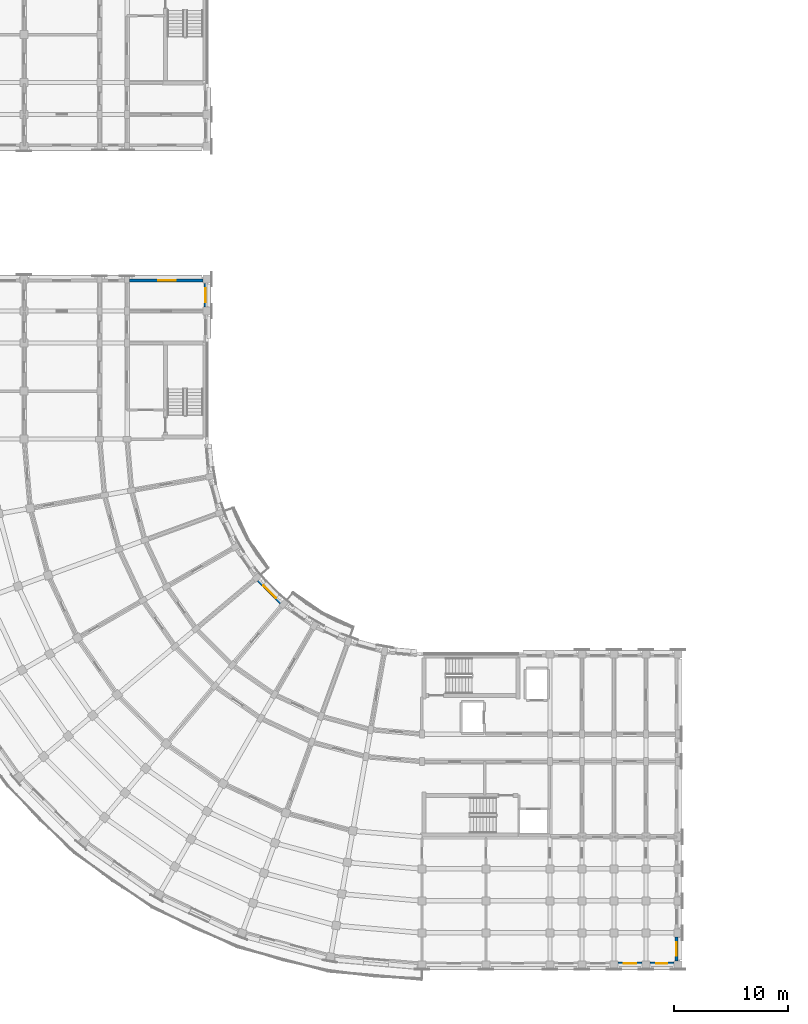
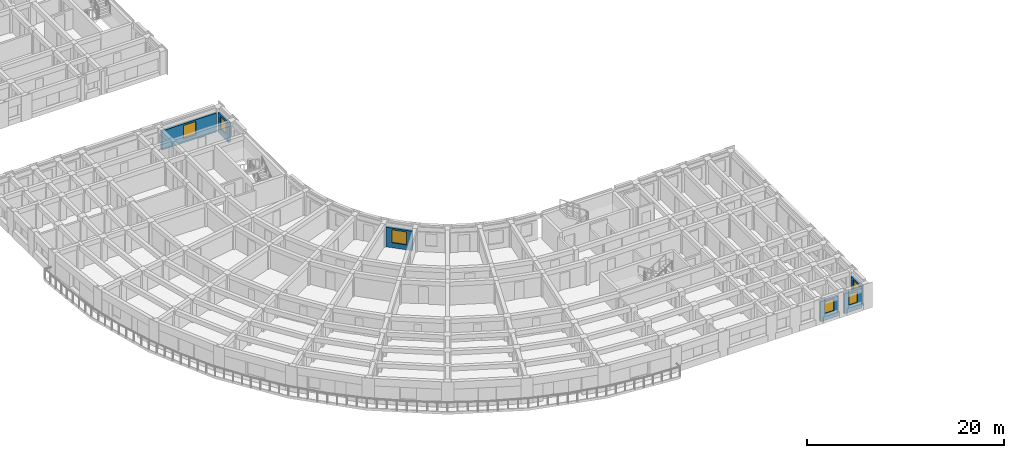
# One storey, part 21 of 57: 6 walls, 6 windows, 6 openings.
"""IFC4 building model written with IfcOpenShell, lengths in metres."""

import ifcopenshell
import ifcopenshell.guid

model = None  # the IFC model being written
_history = None  # IfcOwnerHistory: only IFC2X3 demands one
_inside = {}  # id of a spatial element -> (the spatial element, [elements in it])
_under = {}  # id of a project, library or spatial element -> (it, [spatial elements below it])
_declared = {}  # id of a project -> (the project, [libraries it declares])
_typed = {}  # id of a type object -> (the type object, [elements of that type])
_made_of = {}  # id of a material, layer set ... -> (it, [elements and type objects made of it])


def new_model(schema):
    """Start an empty IFC model of exactly this schema.

    Asked for "IFC4X3", IfcOpenShell would pick the latest addendum, in which some entities
    have other attributes; the version numbers below select the first issue.
    IFC2X3 requires an IfcOwnerHistory on every rooted entity: one is made here for all.
    """
    global model, _history
    if schema == "IFC4X3":
        model = ifcopenshell.file(schema_version=(4, 3, 0, 0))
    else:
        model = ifcopenshell.file(schema=schema)
    _inside.clear()
    _under.clear()
    _declared.clear()
    _typed.clear()
    _made_of.clear()
    _history = None
    if model.schema == "IFC2X3":
        org = make("IfcOrganization", Name="unknown")
        user = make(
            "IfcPersonAndOrganization",
            ThePerson=make("IfcPerson", FamilyName="unknown"),
            TheOrganization=org,
        )
        app = make(
            "IfcApplication",
            ApplicationDeveloper=org,
            Version="unknown",
            ApplicationFullName="unknown",
            ApplicationIdentifier="unknown",
        )
        _history = make(
            "IfcOwnerHistory",
            OwningUser=user,
            OwningApplication=app,
            ChangeAction="ADDED",
            CreationDate=0,
        )
    return model


def make(cls, **values):
    """One entity of the class cls with the attributes given. An attribute that is None is left unset."""
    return model.create_entity(
        cls, **{name: value for name, value in values.items() if value is not None}
    )


def rooted(cls, **values):
    """An entity with a GlobalId (a new one), such as an element, a storey or a relation."""
    return make(cls, GlobalId=ifcopenshell.guid.new(), OwnerHistory=_history, **values)


def si_unit(unit_type, name, prefix=None):
    """IfcSIUnit, for example si_unit("LENGTHUNIT", "METRE", prefix="MILLI")."""
    return make("IfcSIUnit", UnitType=unit_type, Prefix=prefix, Name=name)


def assignment(units):
    """IfcUnitAssignment: the units of a project."""
    return None if units is None else make("IfcUnitAssignment", Units=units)


def point(xyz):
    """IfcCartesianPoint."""
    return None if xyz is None else make("IfcCartesianPoint", Coordinates=xyz)


def direction(xyz):
    """IfcDirection."""
    return None if xyz is None else make("IfcDirection", DirectionRatios=xyz)


def frame(location, z_axis=None, x_axis=None):
    """IfcAxis2Placement3D, a coordinate frame: its origin and axes. An axis left out is left unset."""
    return make(
        "IfcAxis2Placement3D",
        Location=point(location),
        Axis=direction(z_axis),
        RefDirection=direction(x_axis),
    )


def frame_2d(location, x_axis=None):
    """IfcAxis2Placement2D, a coordinate frame in the plane: its origin and x axis."""
    return make(
        "IfcAxis2Placement2D", Location=point(location), RefDirection=direction(x_axis)
    )


def origin():
    """The frame at (0, 0, 0) with its axes left unset."""
    return frame((0.0, 0.0, 0.0))


def place(relative_to, where):
    """IfcLocalPlacement: puts the frame where relative to a parent placement (None: the world)."""
    return make(
        "IfcLocalPlacement", PlacementRelTo=relative_to, RelativePlacement=where
    )


def context(
    kind, dimensions, precision=None, world=None, true_north=None, identifier=None
):
    """IfcGeometricRepresentationContext, for example the 3D "Model" context."""
    return make(
        "IfcGeometricRepresentationContext",
        ContextIdentifier=identifier,
        ContextType=kind,
        CoordinateSpaceDimension=dimensions,
        Precision=precision,
        WorldCoordinateSystem=world,
        TrueNorth=true_north,
    )


def subcontext(parent, identifier, kind, view, scale=None):
    """IfcGeometricRepresentationSubContext, for example "Body" below "Model"."""
    return make(
        "IfcGeometricRepresentationSubContext",
        ContextIdentifier=identifier,
        ContextType=kind,
        ParentContext=parent,
        TargetScale=scale,
        TargetView=view,
    )


def project(units=None, contexts=None):
    """IfcProject with its units and contexts."""
    return rooted(
        "IfcProject",
        Name="project",
        RepresentationContexts=contexts,
        UnitsInContext=assignment(units),
    )


def spatial(cls, under=None, at=None, **own):
    """A site, building, storey or space (cls), placed at a placement, below another one or the project."""
    s = rooted(cls, ObjectPlacement=at, **own)
    if under is not None:
        _under.setdefault(under.id(), (under, []))[1].append(s)
    return s


def profile(cls, at=None, kind="AREA", **sizes):
    """A parametric profile (cls). Its sizes go by their IFC names, for example OverallWidth=200.0."""
    return make(cls, ProfileType=kind, Position=at, **sizes)


def rectangle(**sizes):
    """IfcRectangleProfileDef."""
    return profile("IfcRectangleProfileDef", **sizes)


def extrude(swept, where, along, depth):
    """IfcExtrudedAreaSolid: the profile swept, set in the frame where, extruded along a direction by depth."""
    return make(
        "IfcExtrudedAreaSolid",
        SweptArea=swept,
        Position=where,
        ExtrudedDirection=direction(along),
        Depth=depth,
    )


def shape(context_of_items, identifier, shape_type, items):
    """IfcShapeRepresentation: the items that make up one representation, for example the "Body"."""
    return make(
        "IfcShapeRepresentation",
        ContextOfItems=context_of_items,
        RepresentationIdentifier=identifier,
        RepresentationType=shape_type,
        Items=items,
    )


def material(Name=None, Category=None):
    """IfcMaterial."""
    return make("IfcMaterial", Name=Name, Category=Category)


def layer(
    of_material, thickness, ventilated=None, Name=None, Category=None, Priority=None
):
    """IfcMaterialLayer: one layer of a wall or slab, of a material (None: an air gap)."""
    return make(
        "IfcMaterialLayer",
        Material=of_material,
        LayerThickness=thickness,
        IsVentilated=ventilated,
        Name=Name,
        Category=Category,
        Priority=Priority,
    )


def layer_set(layers, Name=None):
    """IfcMaterialLayerSet."""
    return make("IfcMaterialLayerSet", MaterialLayers=layers, LayerSetName=Name)


def made_of(thing, what):
    """Note that an element or type object is made of a material, layer set ...; save() writes the relation."""
    if what is not None:
        _made_of.setdefault(what.id(), (what, []))[1].append(thing)
    return thing


def type_object(cls, material=None, **own):
    """A type object (cls), such as IfcWallType, which elements share."""
    return made_of(rooted(cls, **own), material)


def element(
    cls,
    number,
    at=None,
    inside=None,
    cuts=None,
    type_object=None,
    material=None,
    context=None,
    identifier="Body",
    shape_type=None,
    held_by="IfcProductDefinitionShape",
    body=None,
    shapes=None,
    **own,
):
    """One element of the class cls, such as IfcWall. Its Tag is "e" and its number.

    at: its placement. inside: the storey or other place that contains it. cuts: it is an
    opening in that element (IfcRelVoidsElement). A single representation is given by context,
    identifier, shape_type and body (its items); several are given by shapes. held_by: the class
    of the entity that holds the representations. save() writes the other relations.
    """
    e = rooted(cls, Tag="e%d" % number, ObjectPlacement=at, **own)
    if body is not None:
        shapes = [shape(context, identifier, shape_type, body)]
    if shapes is not None:
        e.Representation = make(held_by, Representations=shapes)
    if inside is not None:
        _inside.setdefault(inside.id(), (inside, []))[1].append(e)
    if cuts is not None:
        rooted(
            "IfcRelVoidsElement", RelatingBuildingElement=cuts, RelatedOpeningElement=e
        )
    if type_object is not None:
        _typed.setdefault(type_object.id(), (type_object, []))[1].append(e)
    return made_of(e, material)


def fill(opening, filler):
    """IfcRelFillsElement: the door or window that sits in an opening."""
    return rooted(
        "IfcRelFillsElement",
        RelatingOpeningElement=opening,
        RelatedBuildingElement=filler,
    )


def aggregate(whole, parts):
    """IfcRelAggregates: a whole, such as a stair, and the parts it consists of."""
    return rooted("IfcRelAggregates", RelatingObject=whole, RelatedObjects=parts)


def save(model, path):
    """Write the relations noted so far, then the file.

    IfcRelAggregates (storeys below a building ...), IfcRelContainedInSpatialStructure (elements
    in a storey), IfcRelDefinesByType, IfcRelAssociatesMaterial and IfcRelDeclares: one each for
    every whole, place, type object, material and project.
    """
    for whole, parts in _under.values():
        aggregate(whole, parts)
    for where, things in _inside.values():
        rooted(
            "IfcRelContainedInSpatialStructure",
            RelatedElements=things,
            RelatingStructure=where,
        )
    for kind, things in _typed.values():
        rooted("IfcRelDefinesByType", RelatedObjects=things, RelatingType=kind)
    for what, things in _made_of.values():
        rooted("IfcRelAssociatesMaterial", RelatedObjects=things, RelatingMaterial=what)
    for by, libraries in _declared.values():
        rooted("IfcRelDeclares", RelatingContext=by, RelatedDefinitions=libraries)
    model.write(path)


model = new_model("IFC4")

# Units and contexts
model_context = context("Model", 3, precision=1e-05, world=origin(), true_north=direction((0.0, 1.0)))
body_context = subcontext(model_context, "Body", "Model", "MODEL_VIEW")
ifc_project = project(units=[si_unit("LENGTHUNIT", "METRE"), si_unit("AREAUNIT", "SQUARE_METRE"), si_unit("VOLUMEUNIT", "CUBIC_METRE"), si_unit("PLANEANGLEUNIT", "RADIAN"), si_unit("MASSUNIT", "GRAM", prefix="KILO")], contexts=[model_context])

# Site, building, storey
site_placement = place(None, origin())
site = spatial("IfcSite", under=ifc_project, at=site_placement, CompositionType="ELEMENT")
building_placement = place(site_placement, origin())
building = spatial("IfcBuilding", under=site, at=building_placement, Name="Kiranvali Square Residences", CompositionType="ELEMENT")
storey_placement = place(building_placement, frame((0.0, 0.0, 18.14990234375)))
storey = spatial("IfcBuildingStorey", under=building, at=storey_placement, Name="L05", CompositionType="ELEMENT", Elevation=18.14990234375)

# Wall, opening, window
ifc_material_1 = material(Name="Breathable lime-rendered clay brick masonry", Category="masonry")
ifc_layer = layer(ifc_material_1, 0.25)
ifc_layer_set = layer_set([ifc_layer], Name="Breathable lime-rendered clay brick masonry")
wall_type = type_object("IfcWallType", Name="WL-EXT-250", PredefinedType="STANDARD", material=ifc_layer_set)
wall_1_placement = place(storey_placement, frame((35.847900390625, 33.88916015625, 0.0), z_axis=(0.0, 0.0, 1.0), x_axis=(-0.707106781187, 0.707106781187, 0.0)))
wall_1 = element("IfcWall", 1, at=wall_1_placement, inside=storey, type_object=wall_type, Name="L05 exterior wall C-L05-GDN-04", PredefinedType="STANDARD", context=body_context, shape_type="SweptSolid", body=[
    extrude(rectangle(XDim=2.77001953125, YDim=0.25, at=frame_2d((1.385009765625, 0.0))), origin(), (0.0, 0.0, 1.0), 2.422119140625),
])
opening_1_placement = place(wall_1_placement, frame((0.60986328125, 0.0, 0.6220703125)))
opening_1 = element("IfcOpeningElement", 2, at=opening_1_placement, cuts=wall_1, Name="Opening W-18", PredefinedType="OPENING", context=body_context, shape_type="SweptSolid", body=[
    extrude(rectangle(XDim=1.550048828125, YDim=1.60009765625, at=frame_2d((0.77490234375, 0.800048828125))), frame((0.0, 0.135009765625, 0.0), z_axis=(0.0, -1.0, 0.0), x_axis=(1.0, 0.0, 0.0)), (0.0, 0.0, 1.0), 0.27001953125),
])
ifc_material_2 = material(Name="Solar-control low-e double glazing", Category="glass")
window_type_1 = type_object("IfcWindowType", Name="WIN-GDN-1550x1600", PartitioningType="DOUBLE_PANEL_VERTICAL", PredefinedType="WINDOW", material=ifc_material_2)
window_1_placement = place(opening_1_placement, origin())
window_1 = element("IfcWindow", 3, at=window_1_placement, inside=storey, type_object=window_type_1, Name="L05 recessed window C-L05-GDN-04", OverallHeight=1.60009765625, OverallWidth=1.550048828125, PartitioningType="DOUBLE_PANEL_VERTICAL", PredefinedType="WINDOW", context=body_context, shape_type="SweptSolid", body=[
    extrude(rectangle(XDim=1.550048828125, YDim=1.60009765625, at=frame_2d((0.77490234375, 0.800048828125))), frame((0.0, 0.030029296875, 0.0), z_axis=(0.0, -1.0, 0.0), x_axis=(1.0, 0.0, 0.0)), (0.0, 0.0, 1.0), 0.06005859375),
])
fill(opening_1, window_1)

wall_2_placement = place(storey_placement, frame((65.353515625, 2.324951171875, 0.0), z_axis=(0.0, 0.0, 1.0), x_axis=(1.0, 0.0, 0.0)))
wall_2 = element("IfcWall", 4, at=wall_2_placement, inside=storey, type_object=wall_type, Name="L05 exterior wall C-L05-A1O-4", PredefinedType="STANDARD", context=body_context, shape_type="SweptSolid", body=[
    extrude(rectangle(XDim=2.093017578125, YDim=0.25, at=frame_2d((1.04638671875, 0.0))), origin(), (0.0, 0.0, 1.0), 2.47998046875),
])
opening_2_placement = place(wall_2_placement, frame((0.49658203125, 0.0, 0.830078125)))
opening_2 = element("IfcOpeningElement", 5, at=opening_2_placement, cuts=wall_2, Name="Opening W-15", PredefinedType="OPENING", context=body_context, shape_type="SweptSolid", body=[
    extrude(rectangle(XDim=1.10009765625, YDim=1.449951171875, at=frame_2d((0.550048828125, 0.72509765625))), frame((0.0, 0.135009765625, 0.0), z_axis=(0.0, -1.0, 0.0), x_axis=(1.0, 0.0, 0.0)), (0.0, 0.0, 1.0), 0.27001953125),
])
window_type_2 = type_object("IfcWindowType", Name="WIN-RES-1100x1450", PartitioningType="SINGLE_PANEL", PredefinedType="WINDOW", material=ifc_material_2)
window_2_placement = place(opening_2_placement, origin())
window_2 = element("IfcWindow", 6, at=window_2_placement, inside=storey, type_object=window_type_2, Name="L05 recessed window C-L05-A1O-4", OverallHeight=1.449951171875, OverallWidth=1.10009765625, PartitioningType="SINGLE_PANEL", PredefinedType="WINDOW", context=body_context, shape_type="SweptSolid", body=[
    extrude(rectangle(XDim=1.10009765625, YDim=1.449951171875, at=frame_2d((0.550048828125, 0.72509765625))), frame((0.0, 0.030029296875, 0.0), z_axis=(0.0, -1.0, 0.0), x_axis=(1.0, 0.0, 0.0)), (0.0, 0.0, 1.0), 0.06005859375),
])
fill(opening_2, window_2)

wall_3_placement = place(storey_placement, frame((68.153564453125, 2.324951171875, 0.0), z_axis=(0.0, 0.0, 1.0), x_axis=(1.0, 0.0, 0.0)))
wall_3 = element("IfcWall", 7, at=wall_3_placement, inside=storey, type_object=wall_type, Name="L05 exterior wall C-L05-A1O-5", PredefinedType="STANDARD", context=body_context, shape_type="SweptSolid", body=[
    extrude(rectangle(XDim=2.093017578125, YDim=0.25, at=frame_2d((1.04638671875, 0.0))), origin(), (0.0, 0.0, 1.0), 2.47998046875),
])
opening_3_placement = place(wall_3_placement, frame((0.571533203125, 0.0, 0.8798828125)))
opening_3 = element("IfcOpeningElement", 8, at=opening_3_placement, cuts=wall_3, Name="Opening W-16", PredefinedType="OPENING", context=body_context, shape_type="SweptSolid", body=[
    extrude(rectangle(XDim=0.949951171875, YDim=1.35009765625, at=frame_2d((0.47509765625, 0.675048828125))), frame((0.0, 0.135009765625, 0.0), z_axis=(0.0, -1.0, 0.0), x_axis=(1.0, 0.0, 0.0)), (0.0, 0.0, 1.0), 0.27001953125),
])
window_type_3 = type_object("IfcWindowType", Name="WIN-RES-950x1350", PartitioningType="SINGLE_PANEL", PredefinedType="WINDOW", material=ifc_material_2)
window_3_placement = place(opening_3_placement, origin())
window_3 = element("IfcWindow", 9, at=window_3_placement, inside=storey, type_object=window_type_3, Name="L05 recessed window C-L05-A1O-5", OverallHeight=1.35009765625, OverallWidth=0.949951171875, PartitioningType="SINGLE_PANEL", PredefinedType="WINDOW", context=body_context, shape_type="SweptSolid", body=[
    extrude(rectangle(XDim=0.949951171875, YDim=1.35009765625, at=frame_2d((0.47509765625, 0.675048828125))), frame((0.0, 0.030029296875, 0.0), z_axis=(0.0, -1.0, 0.0), x_axis=(1.0, 0.0, 0.0)), (0.0, 0.0, 1.0), 0.06005859375),
])
fill(opening_3, window_3)

wall_4_placement = place(storey_placement, frame((70.47509765625, 4.646484375, 0.0), z_axis=(0.0, 0.0, 1.0), x_axis=(0.0, -1.0, 0.0)))
wall_4 = element("IfcWall", 10, at=wall_4_placement, inside=storey, type_object=wall_type, Name="L05 exterior wall C-L05-A1END-6", PredefinedType="STANDARD", context=body_context, shape_type="SweptSolid", body=[
    extrude(rectangle(XDim=2.093017578125, YDim=0.25, at=frame_2d((1.04638671875, 0.0))), origin(), (0.0, 0.0, 1.0), 2.412109375),
])
opening_4_placement = place(wall_4_placement, frame((0.446533203125, 0.0, 0.7119140625)))
opening_4 = element("IfcOpeningElement", 11, at=opening_4_placement, cuts=wall_4, Name="Opening W-06", PredefinedType="OPENING", context=body_context, shape_type="SweptSolid", body=[
    extrude(rectangle(XDim=1.199951171875, YDim=1.5, at=frame_2d((0.60009765625, 0.75))), frame((0.0, 0.135009765625, 0.0), z_axis=(0.0, -1.0, 0.0), x_axis=(1.0, 0.0, 0.0)), (0.0, 0.0, 1.0), 0.27001953125),
])
window_type_4 = type_object("IfcWindowType", Name="WIN-RES-1200x1500", PartitioningType="SINGLE_PANEL", PredefinedType="WINDOW", material=ifc_material_2)
window_4_placement = place(opening_4_placement, origin())
window_4 = element("IfcWindow", 12, at=window_4_placement, inside=storey, type_object=window_type_4, Name="L05 recessed window C-L05-A1END-6", OverallHeight=1.5, OverallWidth=1.199951171875, PartitioningType="SINGLE_PANEL", PredefinedType="WINDOW", context=body_context, shape_type="SweptSolid", body=[
    extrude(rectangle(XDim=1.199951171875, YDim=1.5, at=frame_2d((0.60009765625, 0.75))), frame((0.0, 0.030029296875, 0.0), z_axis=(0.0, -1.0, 0.0), x_axis=(1.0, 0.0, 0.0)), (0.0, 0.0, 1.0), 0.06005859375),
])
fill(opening_4, window_4)

wall_5_placement = place(storey_placement, frame((29.27490234375, 59.75341796875, 0.0), z_axis=(0.0, 0.0, 1.0), x_axis=(0.0, 1.0, 0.0)))
wall_5 = element("IfcWall", 13, at=wall_5_placement, inside=storey, type_object=wall_type, Name="L05 exterior wall C-L05-A2I-1", PredefinedType="STANDARD", context=body_context, shape_type="SweptSolid", body=[
    extrude(rectangle(XDim=2.093017578125, YDim=0.25, at=frame_2d((1.04638671875, 0.0))), origin(), (0.0, 0.0, 1.0), 2.47216796875),
])
opening_5_placement = place(wall_5_placement, frame((0.446533203125, 0.0, 0.77197265625)))
opening_5 = element("IfcOpeningElement", 14, at=opening_5_placement, cuts=wall_5, Name="Opening W-06", PredefinedType="OPENING", context=body_context, shape_type="SweptSolid", body=[
    extrude(rectangle(XDim=1.199951171875, YDim=1.5, at=frame_2d((0.60009765625, 0.75))), frame((0.0, 0.135009765625, 0.0), z_axis=(0.0, -1.0, 0.0), x_axis=(1.0, 0.0, 0.0)), (0.0, 0.0, 1.0), 0.27001953125),
])
window_5_placement = place(opening_5_placement, origin())
window_5 = element("IfcWindow", 15, at=window_5_placement, inside=storey, type_object=window_type_4, Name="L05 recessed window C-L05-A2I-1", OverallHeight=1.5, OverallWidth=1.199951171875, PartitioningType="SINGLE_PANEL", PredefinedType="WINDOW", context=body_context, shape_type="SweptSolid", body=[
    extrude(rectangle(XDim=1.199951171875, YDim=1.5, at=frame_2d((0.60009765625, 0.75))), frame((0.0, 0.030029296875, 0.0), z_axis=(0.0, -1.0, 0.0), x_axis=(1.0, 0.0, 0.0)), (0.0, 0.0, 1.0), 0.06005859375),
])
fill(opening_5, window_5)

wall_6_placement = place(storey_placement, frame((29.04638671875, 62.074951171875, 0.0), z_axis=(0.0, 0.0, 1.0), x_axis=(-1.0, 0.0, 0.0)))
wall_6 = element("IfcWall", 16, at=wall_6_placement, inside=storey, type_object=wall_type, Name="L05 exterior wall C-L05-A2END-0", PredefinedType="STANDARD", context=body_context, shape_type="SweptSolid", body=[
    extrude(rectangle(XDim=6.41796875, YDim=0.25, at=frame_2d((3.208984375, 0.0))), origin(), (0.0, 0.0, 1.0), 2.3720703125),
])
opening_6_placement = place(wall_6_placement, frame((2.396484375, 0.0, 0.52197265625)))
opening_6 = element("IfcOpeningElement", 17, at=opening_6_placement, cuts=wall_6, Name="Opening W-05", PredefinedType="OPENING", context=body_context, shape_type="SweptSolid", body=[
    extrude(rectangle(XDim=1.5, YDim=1.64990234375, at=frame_2d((0.75, 0.824951171875))), frame((0.0, 0.135009765625, 0.0), z_axis=(0.0, -1.0, 0.0), x_axis=(1.0, 0.0, 0.0)), (0.0, 0.0, 1.0), 0.27001953125),
])
window_type_5 = type_object("IfcWindowType", Name="WIN-RES-1500x1650", PartitioningType="DOUBLE_PANEL_VERTICAL", PredefinedType="WINDOW", material=ifc_material_2)
window_6_placement = place(opening_6_placement, origin())
window_6 = element("IfcWindow", 18, at=window_6_placement, inside=storey, type_object=window_type_5, Name="L05 recessed window C-L05-A2END-0", OverallHeight=1.64990234375, OverallWidth=1.5, PartitioningType="DOUBLE_PANEL_VERTICAL", PredefinedType="WINDOW", context=body_context, shape_type="SweptSolid", body=[
    extrude(rectangle(XDim=1.5, YDim=1.64990234375, at=frame_2d((0.75, 0.824951171875))), frame((0.0, 0.030029296875, 0.0), z_axis=(0.0, -1.0, 0.0), x_axis=(1.0, 0.0, 0.0)), (0.0, 0.0, 1.0), 0.06005859375),
])
fill(opening_6, window_6)

save(model, "model.ifc")
